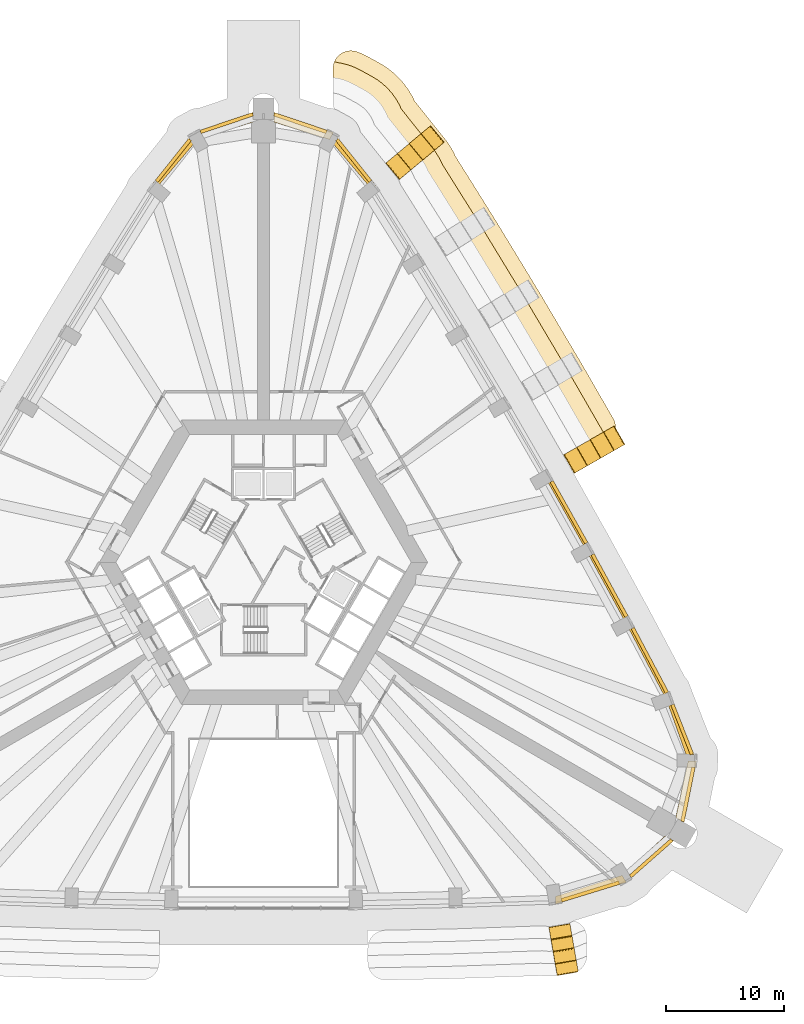
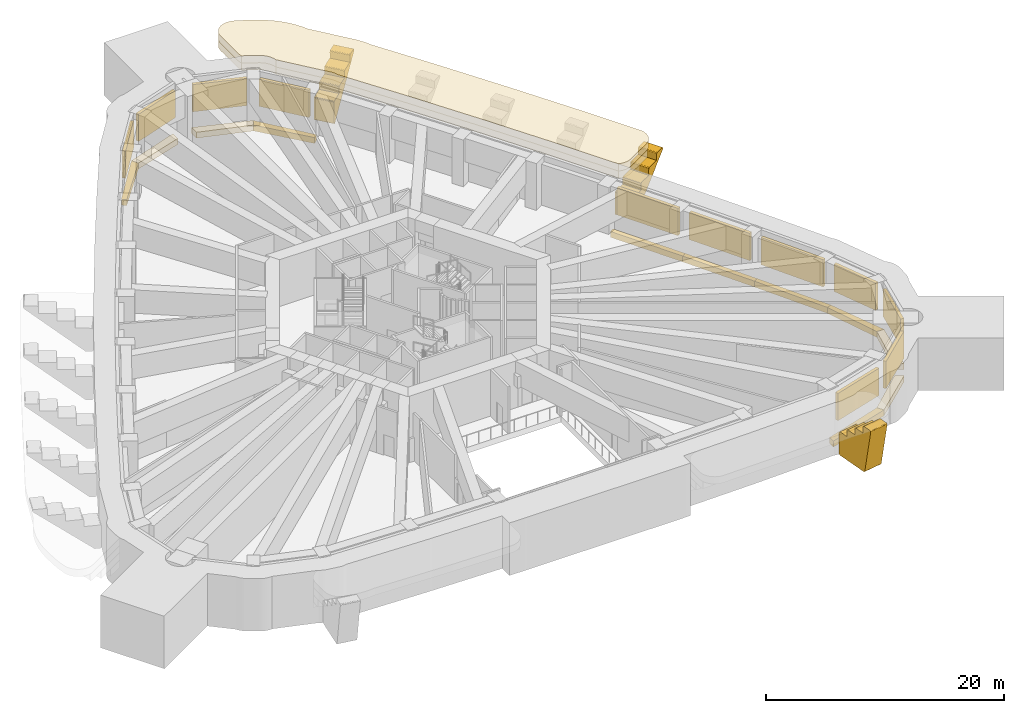
# One storey, part 19 of 20: 16 coverings, 11 shading devices.
"""IFC4 building model written with IfcOpenShell, lengths in metres."""

import ifcopenshell
import ifcopenshell.guid

model = None  # the IFC model being written
_history = None  # IfcOwnerHistory: only IFC2X3 demands one
_inside = {}  # id of a spatial element -> (the spatial element, [elements in it])
_under = {}  # id of a project, library or spatial element -> (it, [spatial elements below it])
_declared = {}  # id of a project -> (the project, [libraries it declares])
_typed = {}  # id of a type object -> (the type object, [elements of that type])
_made_of = {}  # id of a material, layer set ... -> (it, [elements and type objects made of it])


def new_model(schema):
    """Start an empty IFC model of exactly this schema.

    Asked for "IFC4X3", IfcOpenShell would pick the latest addendum, in which some entities
    have other attributes; the version numbers below select the first issue.
    IFC2X3 requires an IfcOwnerHistory on every rooted entity: one is made here for all.
    """
    global model, _history
    if schema == "IFC4X3":
        model = ifcopenshell.file(schema_version=(4, 3, 0, 0))
    else:
        model = ifcopenshell.file(schema=schema)
    _inside.clear()
    _under.clear()
    _declared.clear()
    _typed.clear()
    _made_of.clear()
    _history = None
    if model.schema == "IFC2X3":
        org = make("IfcOrganization", Name="unknown")
        user = make(
            "IfcPersonAndOrganization",
            ThePerson=make("IfcPerson", FamilyName="unknown"),
            TheOrganization=org,
        )
        app = make(
            "IfcApplication",
            ApplicationDeveloper=org,
            Version="unknown",
            ApplicationFullName="unknown",
            ApplicationIdentifier="unknown",
        )
        _history = make(
            "IfcOwnerHistory",
            OwningUser=user,
            OwningApplication=app,
            ChangeAction="ADDED",
            CreationDate=0,
        )
    return model


def make(cls, **values):
    """One entity of the class cls with the attributes given. An attribute that is None is left unset."""
    return model.create_entity(
        cls, **{name: value for name, value in values.items() if value is not None}
    )


def rooted(cls, **values):
    """An entity with a GlobalId (a new one), such as an element, a storey or a relation."""
    return make(cls, GlobalId=ifcopenshell.guid.new(), OwnerHistory=_history, **values)


def si_unit(unit_type, name, prefix=None):
    """IfcSIUnit, for example si_unit("LENGTHUNIT", "METRE", prefix="MILLI")."""
    return make("IfcSIUnit", UnitType=unit_type, Prefix=prefix, Name=name)


def assignment(units):
    """IfcUnitAssignment: the units of a project."""
    return None if units is None else make("IfcUnitAssignment", Units=units)


def point(xyz):
    """IfcCartesianPoint."""
    return None if xyz is None else make("IfcCartesianPoint", Coordinates=xyz)


def direction(xyz):
    """IfcDirection."""
    return None if xyz is None else make("IfcDirection", DirectionRatios=xyz)


def frame(location, z_axis=None, x_axis=None):
    """IfcAxis2Placement3D, a coordinate frame: its origin and axes. An axis left out is left unset."""
    return make(
        "IfcAxis2Placement3D",
        Location=point(location),
        Axis=direction(z_axis),
        RefDirection=direction(x_axis),
    )


def frame_2d(location, x_axis=None):
    """IfcAxis2Placement2D, a coordinate frame in the plane: its origin and x axis."""
    return make(
        "IfcAxis2Placement2D", Location=point(location), RefDirection=direction(x_axis)
    )


def origin():
    """The frame at (0, 0, 0) with its axes left unset."""
    return frame((0.0, 0.0, 0.0))


def origin_2d():
    """The frame at (0, 0) in the plane with its x axis left unset."""
    return frame_2d((0.0, 0.0))


def place(relative_to, where):
    """IfcLocalPlacement: puts the frame where relative to a parent placement (None: the world)."""
    return make(
        "IfcLocalPlacement", PlacementRelTo=relative_to, RelativePlacement=where
    )


def context(
    kind, dimensions, precision=None, world=None, true_north=None, identifier=None
):
    """IfcGeometricRepresentationContext, for example the 3D "Model" context."""
    return make(
        "IfcGeometricRepresentationContext",
        ContextIdentifier=identifier,
        ContextType=kind,
        CoordinateSpaceDimension=dimensions,
        Precision=precision,
        WorldCoordinateSystem=world,
        TrueNorth=true_north,
    )


def subcontext(parent, identifier, kind, view, scale=None):
    """IfcGeometricRepresentationSubContext, for example "Body" below "Model"."""
    return make(
        "IfcGeometricRepresentationSubContext",
        ContextIdentifier=identifier,
        ContextType=kind,
        ParentContext=parent,
        TargetScale=scale,
        TargetView=view,
    )


def project(units=None, contexts=None):
    """IfcProject with its units and contexts."""
    return rooted(
        "IfcProject",
        Name="project",
        RepresentationContexts=contexts,
        UnitsInContext=assignment(units),
    )


def spatial(cls, under=None, at=None, **own):
    """A site, building, storey or space (cls), placed at a placement, below another one or the project."""
    s = rooted(cls, ObjectPlacement=at, **own)
    if under is not None:
        _under.setdefault(under.id(), (under, []))[1].append(s)
    return s


def polyline(points):
    """IfcPolyline through the points."""
    return make("IfcPolyline", Points=[point(p) for p in points])


def profile(cls, at=None, kind="AREA", **sizes):
    """A parametric profile (cls). Its sizes go by their IFC names, for example OverallWidth=200.0."""
    return make(cls, ProfileType=kind, Position=at, **sizes)


def rectangle(**sizes):
    """IfcRectangleProfileDef."""
    return profile("IfcRectangleProfileDef", **sizes)


def outline(outer, holes=None, kind="AREA"):
    """IfcArbitraryClosedProfileDef: a profile drawn as a closed curve; with holes, ...WithVoids."""
    if holes is None:
        return make("IfcArbitraryClosedProfileDef", ProfileType=kind, OuterCurve=outer)
    return make(
        "IfcArbitraryProfileDefWithVoids",
        ProfileType=kind,
        OuterCurve=outer,
        InnerCurves=holes,
    )


def extrude(swept, where, along, depth):
    """IfcExtrudedAreaSolid: the profile swept, set in the frame where, extruded along a direction by depth."""
    return make(
        "IfcExtrudedAreaSolid",
        SweptArea=swept,
        Position=where,
        ExtrudedDirection=direction(along),
        Depth=depth,
    )


def shape(context_of_items, identifier, shape_type, items):
    """IfcShapeRepresentation: the items that make up one representation, for example the "Body"."""
    return make(
        "IfcShapeRepresentation",
        ContextOfItems=context_of_items,
        RepresentationIdentifier=identifier,
        RepresentationType=shape_type,
        Items=items,
    )


def material(Name=None, Category=None):
    """IfcMaterial."""
    return make("IfcMaterial", Name=Name, Category=Category)


def layer(
    of_material, thickness, ventilated=None, Name=None, Category=None, Priority=None
):
    """IfcMaterialLayer: one layer of a wall or slab, of a material (None: an air gap)."""
    return make(
        "IfcMaterialLayer",
        Material=of_material,
        LayerThickness=thickness,
        IsVentilated=ventilated,
        Name=Name,
        Category=Category,
        Priority=Priority,
    )


def layer_set(layers, Name=None):
    """IfcMaterialLayerSet."""
    return make("IfcMaterialLayerSet", MaterialLayers=layers, LayerSetName=Name)


def made_of(thing, what):
    """Note that an element or type object is made of a material, layer set ...; save() writes the relation."""
    if what is not None:
        _made_of.setdefault(what.id(), (what, []))[1].append(thing)
    return thing


def type_object(cls, material=None, **own):
    """A type object (cls), such as IfcWallType, which elements share."""
    return made_of(rooted(cls, **own), material)


def element(
    cls,
    number,
    at=None,
    inside=None,
    cuts=None,
    type_object=None,
    material=None,
    context=None,
    identifier="Body",
    shape_type=None,
    held_by="IfcProductDefinitionShape",
    body=None,
    shapes=None,
    **own,
):
    """One element of the class cls, such as IfcWall. Its Tag is "e" and its number.

    at: its placement. inside: the storey or other place that contains it. cuts: it is an
    opening in that element (IfcRelVoidsElement). A single representation is given by context,
    identifier, shape_type and body (its items); several are given by shapes. held_by: the class
    of the entity that holds the representations. save() writes the other relations.
    """
    e = rooted(cls, Tag="e%d" % number, ObjectPlacement=at, **own)
    if body is not None:
        shapes = [shape(context, identifier, shape_type, body)]
    if shapes is not None:
        e.Representation = make(held_by, Representations=shapes)
    if inside is not None:
        _inside.setdefault(inside.id(), (inside, []))[1].append(e)
    if cuts is not None:
        rooted(
            "IfcRelVoidsElement", RelatingBuildingElement=cuts, RelatedOpeningElement=e
        )
    if type_object is not None:
        _typed.setdefault(type_object.id(), (type_object, []))[1].append(e)
    return made_of(e, material)


def aggregate(whole, parts):
    """IfcRelAggregates: a whole, such as a stair, and the parts it consists of."""
    return rooted("IfcRelAggregates", RelatingObject=whole, RelatedObjects=parts)


def save(model, path):
    """Write the relations noted so far, then the file.

    IfcRelAggregates (storeys below a building ...), IfcRelContainedInSpatialStructure (elements
    in a storey), IfcRelDefinesByType, IfcRelAssociatesMaterial and IfcRelDeclares: one each for
    every whole, place, type object, material and project.
    """
    for whole, parts in _under.values():
        aggregate(whole, parts)
    for where, things in _inside.values():
        rooted(
            "IfcRelContainedInSpatialStructure",
            RelatedElements=things,
            RelatingStructure=where,
        )
    for kind, things in _typed.values():
        rooted("IfcRelDefinesByType", RelatedObjects=things, RelatingType=kind)
    for what, things in _made_of.values():
        rooted("IfcRelAssociatesMaterial", RelatedObjects=things, RelatingMaterial=what)
    for by, libraries in _declared.values():
        rooted("IfcRelDeclares", RelatingContext=by, RelatedDefinitions=libraries)
    model.write(path)


model = new_model("IFC4")

# Units and contexts
model_context = context("Model", 3, precision=1e-05, world=origin(), true_north=direction((0.0, 1.0)))
body_context = subcontext(model_context, "Body", "Model", "MODEL_VIEW")
ifc_project = project(units=[si_unit("LENGTHUNIT", "METRE"), si_unit("AREAUNIT", "SQUARE_METRE"), si_unit("VOLUMEUNIT", "CUBIC_METRE"), si_unit("PLANEANGLEUNIT", "RADIAN"), si_unit("MASSUNIT", "GRAM", prefix="KILO")], contexts=[model_context])

# Site, building, storey
site_placement = place(None, origin())
site = spatial("IfcSite", under=ifc_project, at=site_placement, CompositionType="ELEMENT")
building_placement = place(site_placement, origin())
building = spatial("IfcBuilding", under=site, at=building_placement, Name="Entoto Arch Interchange Tower", CompositionType="ELEMENT")
storey_placement = place(building_placement, frame((0.0, 0.0, 184.39990234375)))
storey = spatial("IfcBuildingStorey", under=building, at=storey_placement, Name="L41", CompositionType="ELEMENT", Elevation=184.39990234375)

# Shading devices
ifc_material_1 = material(Name="Aluminium, anodised", Category="aluminium")
ifc_layer = layer(ifc_material_1, 0.300048828125)
ifc_layer_set = layer_set([ifc_layer], Name="Aluminium, anodised")
shading_device_type = type_object("IfcShadingDeviceType", Name="PLANT LOUVRE ALUMINIUM", PredefinedType="JALOUSIE", material=ifc_layer_set)
shading_device_1_placement = place(storey_placement, frame((27.595947265625, -25.300048828125, 1.2001953125), z_axis=(0.0, 0.0, 1.0), x_axis=(0.955895596002, 0.293706672624, 0.0)))
element("IfcShadingDevice", 1, at=shading_device_1_placement, inside=storey, type_object=shading_device_type, Name="Plant louvre SE-01 L41", PredefinedType="JALOUSIE", context=body_context, shape_type="SweptSolid", body=[
    extrude(rectangle(XDim=5.070068359375, YDim=0.300048828125, at=origin_2d()), origin(), (0.0, 0.0, 1.0), 2.800048828125),
])
shading_device_2_placement = place(storey_placement, frame((32.72802734375, -22.48291015625, 1.2001953125), z_axis=(0.0, 0.0, 1.0), x_axis=(0.750238018569, 0.66116784215, 0.0)))
element("IfcShadingDevice", 2, at=shading_device_2_placement, inside=storey, type_object=shading_device_type, Name="Plant louvre SE-02 L41", PredefinedType="JALOUSIE", context=body_context, shape_type="SweptSolid", body=[
    extrude(rectangle(XDim=4.659912109375, YDim=0.300048828125, at=origin_2d()), origin(), (0.0, 0.0, 1.0), 2.800048828125),
])
shading_device_3_placement = place(storey_placement, frame((35.8349609375, -17.10205078125, 1.2001953125), z_axis=(0.0, 0.0, 1.0), x_axis=(0.197486247774, 0.980305657405, 0.0)))
element("IfcShadingDevice", 3, at=shading_device_3_placement, inside=storey, type_object=shading_device_type, Name="Plant louvre SE-03 L41", PredefinedType="JALOUSIE", context=body_context, shape_type="SweptSolid", body=[
    extrude(rectangle(XDim=4.658935546875, YDim=0.300048828125, at=origin_2d()), origin(), (0.0, 0.0, 1.0), 2.800048828125),
])
shading_device_4_placement = place(storey_placement, frame((35.35400390625, -11.616943359375, 1.2001953125), z_axis=(0.0, 0.0, 1.0), x_axis=(-0.36481178349, 0.931081286799, 0.0)))
element("IfcShadingDevice", 4, at=shading_device_4_placement, inside=storey, type_object=shading_device_type, Name="Plant louvre SE-04 L41", PredefinedType="JALOUSIE", context=body_context, shape_type="SweptSolid", body=[
    extrude(rectangle(XDim=4.511962890625, YDim=0.300048828125, at=origin_2d()), origin(), (0.0, 0.0, 1.0), 2.800048828125),
])
shading_device_5_placement = place(storey_placement, frame((32.6201171875, -5.784912109375, 1.2001953125), z_axis=(0.0, 0.0, 1.0), x_axis=(-0.468685449433, 0.88336512807, 0.0)))
element("IfcShadingDevice", 5, at=shading_device_5_placement, inside=storey, type_object=shading_device_type, Name="Plant louvre NE-01 L41", PredefinedType="JALOUSIE", context=body_context, shape_type="SweptSolid", body=[
    extrude(rectangle(XDim=6.18310546875, YDim=0.300048828125, at=origin_2d()), origin(), (0.0, 0.0, 1.0), 2.800048828125),
])
shading_device_6_placement = place(storey_placement, frame((29.218017578125, 0.534912109375, 1.2001953125), z_axis=(0.0, 0.0, 1.0), x_axis=(-0.479182141455, 0.877715486539, 0.0)))
element("IfcShadingDevice", 6, at=shading_device_6_placement, inside=storey, type_object=shading_device_type, Name="Plant louvre NE-02 L41", PredefinedType="JALOUSIE", context=body_context, shape_type="SweptSolid", body=[
    extrude(rectangle(XDim=5.97705078125, YDim=0.300048828125, at=origin_2d()), origin(), (0.0, 0.0, 1.0), 2.800048828125),
])
shading_device_7_placement = place(storey_placement, frame((25.791015625, 6.722900390625, 1.2001953125), z_axis=(0.0, 0.0, 1.0), x_axis=(-0.489671613958, 0.871906939119, 0.0)))
element("IfcShadingDevice", 7, at=shading_device_7_placement, inside=storey, type_object=shading_device_type, Name="Plant louvre NE-03 L41", PredefinedType="JALOUSIE", context=body_context, shape_type="SweptSolid", body=[
    extrude(rectangle(XDim=5.97509765625, YDim=0.300048828125, at=origin_2d()), origin(), (0.0, 0.0, 1.0), 2.800048828125),
])
shading_device_8_placement = place(storey_placement, frame((7.616943359375, 36.425048828125, 1.2001953125), z_axis=(0.0, 0.0, 1.0), x_axis=(-0.623634044029, 0.781716431405, 0.0)))
element("IfcShadingDevice", 8, at=shading_device_8_placement, inside=storey, type_object=shading_device_type, Name="Plant louvre N-01 L41", PredefinedType="JALOUSIE", context=body_context, shape_type="SweptSolid", body=[
    extrude(rectangle(XDim=4.510986328125, YDim=0.300048828125, at=origin_2d()), origin(), (0.0, 0.0, 1.0), 2.800048828125),
])
for number, where, z_axis, x_axis, name in (
    (9, (3.10693359375, 39.583984375, 1.2001953125), (0.0, 0.0, 1.0), (-0.947645868563, 0.319323202721, 0.0), "Plant louvre N-02 L41"),
    (10, (-3.10693359375, 39.583984375, 1.2001953125), (0.0, 0.0, 1.0), (-0.947645868563, -0.319323202721, 0.0), "Plant louvre N-03 L41"),
):
    element("IfcShadingDevice", number, at=place(storey_placement, frame(where, z_axis=z_axis, x_axis=x_axis)), inside=storey, type_object=shading_device_type, Name=name, PredefinedType="JALOUSIE", context=body_context, shape_type="SweptSolid", body=[
        extrude(rectangle(XDim=4.659912109375, YDim=0.300048828125, at=origin_2d()), origin(), (0.0, 0.0, 1.0), 2.800048828125),
    ])
shading_device_9_placement = place(storey_placement, frame((-7.616943359375, 36.425048828125, 1.2001953125), z_axis=(0.0, 0.0, 1.0), x_axis=(-0.623634044029, -0.781716431405, 0.0)))
element("IfcShadingDevice", 11, at=shading_device_9_placement, inside=storey, type_object=shading_device_type, Name="Plant louvre N-04 L41", PredefinedType="JALOUSIE", context=body_context, shape_type="SweptSolid", body=[
    extrude(rectangle(XDim=4.510986328125, YDim=0.300048828125, at=origin_2d()), origin(), (0.0, 0.0, 1.0), 2.800048828125),
])

# Coverings
ifc_material_2 = material(Name="Board-marked precast concrete C50/60", Category="concrete")
covering_type_1 = type_object("IfcCoveringType", Name="PRECAST FRAME COURSE", PredefinedType="CLADDING", material=ifc_material_2)
covering_1_placement = place(storey_placement, frame((24.26806640625, -29.31591796875, 1.800048828125), z_axis=(-0.985762800974, -0.168114933181, 0.00301155415), x_axis=(0.003321598554, -0.001563064216, 0.999993261884)))
element("IfcCovering", 12, at=covering_1_placement, inside=storey, type_object=covering_type_1, Name="Fold rib S06 L41", PredefinedType="CLADDING", context=body_context, shape_type="SweptSolid", body=[
    extrude(outline(polyline([(0.0, 0.0), (0.6149941044265056, 0.0), (0.657008142381907, -0.01010747543813199), (0.6831628777160753, -0.024503747380922973), (0.7061522493975048, -0.04376103548676018), (0.725242409500836, -0.06603763725399082), (0.7392102303148677, -0.09121298843089166), (0.7473277311929523, -0.11973450339498976), (0.7503190289847935, -0.14918840097460354), (0.7522073790339541, -1.048931563834165), (1.3672014834604598, -1.0489315638341647), (1.409215521415861, -1.059039039272297), (1.4353666313939673, -1.0730304766119225), (1.4683878346570682, -1.1024623783236382), (1.491418038678494, -1.139944928957241), (1.4995347286194318, -1.168425401662269), (1.50252683734842, -1.1979203415009527), (1.5044143764604336, -2.097622462101444), (2.1194069544570406, -2.0966597998339016), (2.1614225188423406, -2.1077299375395757), (2.187572913327695, -2.120799754870729), (2.210561474071978, -2.1400160007174964), (2.229651634175309, -2.162292602484727), (2.248779048984772, -2.2019493433018567), (2.2547290645964133, -2.24548440846441), (2.2562468712361308, -2.9679859543455116), (2.2533777364088947, -2.996289866472103), (2.239545387098882, -3.037735908717103), (2.2234833978860493, -3.0620526780124995), (2.191562821544735, -3.091579863821027), (2.1666933210060537, -3.106124291588224), (2.1386327934993328, -3.114048696851032), (2.109589985960684, -3.118365168630945), (2.0805311507379955, -3.1163366631661593), (-2.270917093284434, -2.371249048714046), (-2.2990085311667046, -2.363442519623617), (-2.3261350522421953, -2.3501751290050374), (-2.3501030310473996, -2.3310374297092653), (-2.3691911399467647, -2.308643289152359), (-2.3883188886415048, -2.2683055938936425), (-2.3952506119589154, -2.2234050818807707), (-2.4017325463265635, 0.8644690488311826), (-2.3988645085995537, 0.8939352465331316), (-2.3908669287634243, 0.9212872589992237), (-2.3770048139002853, 0.9477243635916448), (-2.35801010406823, 0.9701219584131243), (-2.335100536581511, 0.9894345552181842), (-2.3090043784199614, 1.00257300638109), (-2.2811931416791538, 1.011864396009508), (-2.2521451823545444, 1.0148133709187135), (-0.15204374074463856, 1.0191995878155624), (-0.12298337909205154, 1.0162084200832349), (-0.09513569858225845, 1.0081607129208237), (-0.06898053391841788, 0.9939640642858483), (-0.03596014159246378, 0.9645732048332025), (-0.012932799712150896, 0.927014157668994), (-0.002834758808368498, 0.8844915096197074), (0.0, 0.0)])), origin(), (0.0, 0.0, -1.0), 1.800048828125),
])
covering_2_placement = place(storey_placement, frame((0.0, 0.0, 4.050048828125)))
element("IfcCovering", 13, at=covering_2_placement, inside=storey, type_object=covering_type_1, Name="Cantilever cornice ne-L41 1", PredefinedType="CLADDING", context=body_context, shape_type="SweptSolid", body=[
    extrude(outline(polyline([(5.93408203125, 40.881103515625), (5.89990234375, 41.02099609375), (5.87890625, 41.1630859375), (5.8720703125, 41.306884765625), (5.8720703125, 44.197021484375), (5.87890625, 44.341064453125), (5.89990234375, 44.48388671875), (5.93408203125, 44.6240234375), (5.98193359375, 44.760009765625), (6.0419921875, 44.89111328125), (6.114990234375, 45.01611328125), (6.198974609375, 45.133056640625), (6.294921875, 45.240966796875), (6.39990234375, 45.339111328125), (6.513916015625, 45.427978515625), (6.635986328125, 45.50390625), (6.764892578125, 45.569091796875), (6.89892578125, 45.62109375), (7.0380859375, 45.659912109375), (7.179931640625, 45.68505859375), (7.323974609375, 45.697021484375), (7.468017578125, 45.694091796875), (7.611083984375, 45.677978515625), (7.751953125, 45.64892578125), (7.889892578125, 45.60498046875), (8.0791015625, 45.535888671875), (8.097900390625, 45.529052734375), (8.23388671875, 45.470947265625), (8.7529296875, 45.219970703125), (8.818115234375, 45.18701171875), (9.718994140625, 44.695068359375), (9.782958984375, 44.657958984375), (10.27490234375, 44.35791015625), (10.39697265625, 44.27490234375), (10.826904296875, 43.949951171875), (10.93994140625, 43.85498046875), (11.2109375, 43.60498046875), (11.3369140625, 43.489013671875), (11.43994140625, 43.385009765625), (11.797119140625, 42.98388671875), (11.799072265625, 42.98193359375), (11.89111328125, 42.866943359375), (12.068115234375, 42.6240234375), (12.208984375, 42.430908203125), (12.2900390625, 42.30810546875), (12.56298828125, 41.843017578125), (12.631103515625, 41.7119140625), (12.680908203125, 41.60498046875), (12.73193359375, 41.4951171875), (12.7509765625, 41.4541015625), (12.779052734375, 41.41796875), (13.969970703125, 39.926025390625), (14.905029296875, 38.7548828125), (14.908935546875, 38.7490234375), (14.9140625, 38.743896484375), (15.193115234375, 38.407958984375), (15.239013671875, 38.35009765625), (15.5849609375, 37.888916015625), (15.6669921875, 37.76708984375), (15.947998046875, 37.305908203125), (16.01806640625, 37.177001953125), (16.0791015625, 37.049072265625), (16.198974609375, 36.799072265625), (16.217041015625, 36.760986328125), (16.239990234375, 36.72509765625), (16.674072265625, 36.031982421875), (18.987060546875, 32.339111328125), (18.99609375, 32.323974609375), (19.001953125, 32.31494140625), (19.014892578125, 32.294921875), (19.5859375, 31.381103515625), (19.591064453125, 31.3740234375), (19.62890625, 31.31103515625), (19.633056640625, 31.303955078125), (22.717041015625, 26.23388671875), (22.72607421875, 26.218994140625), (22.736083984375, 26.2041015625), (22.743896484375, 26.19091796875), (22.763916015625, 26.158935546875), (22.99609375, 25.77490234375), (23.31298828125, 25.2509765625), (23.31689453125, 25.2451171875), (23.347900390625, 25.193115234375), (23.35205078125, 25.18701171875), (25.43310546875, 21.673095703125), (26.37109375, 20.089111328125), (26.37890625, 20.074951171875), (26.387939453125, 20.06103515625), (26.39111328125, 20.055908203125), (26.429931640625, 19.992919921875), (26.967041015625, 19.0791015625), (26.969970703125, 19.073974609375), (26.992919921875, 19.032958984375), (26.99609375, 19.028076171875), (27.72607421875, 17.761962890625), (29.52197265625, 14.64697265625), (29.590087890625, 14.514892578125), (29.64404296875, 14.3779296875), (29.68408203125, 14.236083984375), (29.7099609375, 14.090087890625), (29.721923828125, 13.943115234375), (29.718994140625, 13.794921875), (29.701904296875, 13.64794921875), (29.669921875, 13.50390625), (29.6240234375, 13.363037109375), (29.56494140625, 13.22802734375), (29.491943359375, 13.09912109375), (29.407958984375, 12.97802734375), (29.31103515625, 12.865966796875), (29.205078125, 12.763916015625), (29.087890625, 12.673095703125), (28.964111328125, 12.593017578125), (27.30810546875, 11.653076171875), (26.763916015625, 11.343994140625), (26.639892578125, 11.281005859375), (26.510986328125, 11.22900390625), (26.376953125, 11.18994140625), (26.239990234375, 11.1640625), (26.10205078125, 11.14990234375), (25.9619140625, 11.14892578125), (25.823974609375, 11.160888671875), (25.68701171875, 11.18603515625), (25.552978515625, 11.22412109375), (25.487060546875, 11.2451171875), (25.5009765625, 11.216064453125), (25.48291015625, 11.248046875), (25.43603515625, 11.322021484375), (22.489990234375, 16.43408203125), (22.48291015625, 16.445068359375), (21.926025390625, 17.39404296875), (21.89306640625, 17.445068359375), (18.8759765625, 22.541015625), (18.866943359375, 22.555908203125), (18.297119140625, 23.4970703125), (18.277099609375, 23.52587890625), (15.18798828125, 28.60595703125), (15.177001953125, 28.6240234375), (14.594970703125, 29.556884765625), (14.5849609375, 29.571044921875), (11.56298828125, 34.39599609375), (11.552001953125, 34.43896484375), (11.490966796875, 34.60498046875), (11.4150390625, 34.763916015625), (11.322998046875, 34.9150390625), (11.217041015625, 35.055908203125), (10.876953125, 35.466064453125), (8.16796875, 38.85888671875), (8.1669921875, 38.868896484375), (8.1259765625, 39.0400390625), (8.068115234375, 39.20703125), (7.993896484375, 39.366943359375), (7.904052734375, 39.52001953125), (7.800048828125, 39.662109375), (7.68310546875, 39.7939453125), (7.552978515625, 39.9140625), (7.412109375, 40.02099609375), (7.260986328125, 40.113037109375), (6.294921875, 40.639892578125), (6.135986328125, 40.716064453125), (5.970947265625, 40.777099609375), (5.93505859375, 40.787109375), (5.968017578125, 40.780029296875), (5.9599609375, 40.80810546875), (5.93408203125, 40.881103515625)])), origin(), (0.0, 0.0, 1.0), 0.75),
])
covering_3_placement = place(storey_placement, frame((0.0, 0.0, 3.300048828125)))
element("IfcCovering", 14, at=covering_3_placement, inside=storey, type_object=covering_type_1, Name="Cantilever cornice ne-L41 2", PredefinedType="CLADDING", context=body_context, shape_type="SweptSolid", body=[
    extrude(outline(polyline([(5.93408203125, 40.881103515625), (5.89990234375, 41.02099609375), (5.87890625, 41.1630859375), (5.8720703125, 41.306884765625), (5.8720703125, 44.197021484375), (5.87890625, 44.341064453125), (5.89990234375, 44.48388671875), (5.93408203125, 44.6240234375), (5.98193359375, 44.760009765625), (5.992919921875, 44.784912109375), (6.27294921875, 44.68994140625), (6.593017578125, 44.639892578125), (7.135009765625, 44.5), (7.659912109375, 44.306884765625), (8.1630859375, 44.06298828125), (9.12890625, 43.535888671875), (9.60595703125, 43.2451171875), (10.052978515625, 42.906982421875), (10.464111328125, 42.528076171875), (10.8359375, 42.111083984375), (11.1650390625, 41.657958984375), (11.448974609375, 41.176025390625), (11.64111328125, 40.760009765625), (13.90087890625, 37.927978515625), (14.217041015625, 37.549072265625), (14.552978515625, 37.10107421875), (14.843017578125, 36.623046875), (15.0849609375, 36.12109375), (17.89306640625, 31.635986328125), (17.903076171875, 31.6220703125), (18.485107421875, 30.68896484375), (18.52001953125, 30.632080078125), (21.614013671875, 25.5458984375), (21.634033203125, 25.51611328125), (22.202880859375, 24.574951171875), (22.23095703125, 24.528076171875), (25.258056640625, 19.4169921875), (25.2900390625, 19.366943359375), (25.846923828125, 18.4189453125), (25.867919921875, 18.381103515625), (28.827880859375, 13.248046875), (28.8740234375, 13.175048828125), (29.137939453125, 12.7109375), (29.087890625, 12.673095703125), (28.964111328125, 12.593017578125), (27.30810546875, 11.653076171875), (26.763916015625, 11.343994140625), (26.639892578125, 11.281005859375), (26.510986328125, 11.22900390625), (26.376953125, 11.18994140625), (26.239990234375, 11.1640625), (26.10205078125, 11.14990234375), (25.9619140625, 11.14892578125), (25.823974609375, 11.160888671875), (25.68701171875, 11.18603515625), (25.552978515625, 11.22412109375), (25.487060546875, 11.2451171875), (25.5009765625, 11.216064453125), (25.48291015625, 11.248046875), (25.43603515625, 11.322021484375), (22.489990234375, 16.43408203125), (22.48291015625, 16.445068359375), (21.926025390625, 17.39404296875), (21.89306640625, 17.445068359375), (18.8759765625, 22.541015625), (18.866943359375, 22.555908203125), (18.297119140625, 23.4970703125), (18.277099609375, 23.52587890625), (15.18798828125, 28.60595703125), (15.177001953125, 28.6240234375), (14.594970703125, 29.556884765625), (14.5849609375, 29.571044921875), (11.56298828125, 34.39599609375), (11.552001953125, 34.43896484375), (11.490966796875, 34.60498046875), (11.4150390625, 34.763916015625), (11.322998046875, 34.9150390625), (11.217041015625, 35.055908203125), (10.876953125, 35.466064453125), (8.16796875, 38.85888671875), (8.1669921875, 38.868896484375), (8.1259765625, 39.0400390625), (8.068115234375, 39.20703125), (7.993896484375, 39.366943359375), (7.904052734375, 39.52001953125), (7.800048828125, 39.662109375), (7.68310546875, 39.7939453125), (7.552978515625, 39.9140625), (7.412109375, 40.02099609375), (7.260986328125, 40.113037109375), (6.294921875, 40.639892578125), (6.135986328125, 40.716064453125), (5.970947265625, 40.777099609375), (5.93505859375, 40.787109375), (5.968017578125, 40.780029296875), (5.9599609375, 40.80810546875), (5.93408203125, 40.881103515625)])), origin(), (0.0, 0.0, 1.0), 0.75),
])
covering_4_placement = place(storey_placement, frame((26.445068359375, 10.126953125, -0.558837890625), z_axis=(0.493802666554, -0.86956819689, 0.003174501774), x_axis=(-0.707221631434, -0.403729510332, -0.580379226472)))
element("IfcCovering", 15, at=covering_4_placement, inside=storey, type_object=covering_type_1, Name="Fold rib NE04 L41", PredefinedType="CLADDING", context=body_context, shape_type="SweptSolid", body=[
    extrude(outline(polyline([(0.0, 0.0), (0.04332361907507936, 0.0), (0.08486405812383292, -0.013714867908984248), (0.10989273701131527, -0.027955127779212302), (0.1399381255349674, -0.05926206026950552), (0.16071583748243856, -0.09715558753048746), (0.17011715043075856, -0.13953219650195864), (0.16574330625491887, -0.18318251504606967), (0.14983029188160596, -0.2234067248160781), (-1.0762339839971578, -1.9455750285472284), (-1.0961287216049216, -1.9670726367630296), (-1.1186934456437891, -1.9851679263832558), (-1.1451735708811717, -1.9983750124696829), (-1.1735354524351793, -2.0063422206109336), (-1.2035756134333702, -2.008318952560277), (-1.2331064028159917, -2.004360609918928), (-1.2600257455679371, -1.995067219644232), (-1.286213432435928, -1.9800010691520382), (-2.1975233792533952, -1.3305132684448875), (-2.5552394699673577, -1.830769140021419), (-2.5884635092921715, -1.8586590952530049), (-2.6144508006546374, -1.8722132855060831), (-2.6438975954330255, -1.8794087078164325), (-2.672852843206836, -1.8821572255966772), (-2.7166780611772916, -1.8743080069580265), (-2.755490662209394, -1.8538393421884383), (-3.691386532904782, -1.1868302080045452), (-4.049102623618745, -1.6870860795810765), (-4.082326662943559, -1.7149760348126626), (-4.108708221405958, -1.7282525417324202), (-4.137588087553301, -1.7358491730004855), (-4.166543335327111, -1.7385976907807303), (-4.2105412148286785, -1.7306249465176842), (-4.249181154329669, -1.7102798073724912), (-5.185767671149504, -1.0427765706910184), (-5.543187382838953, -1.5432488614318087), (-5.576609234413297, -1.5709918183324656), (-5.60308935965068, -1.5841989044188929), (-5.631451241204688, -1.5921661125601436), (-5.661097135102945, -1.5944205278428076), (-5.7042317069489545, -1.587065411701737), (-5.74343857508099, -1.566319063598828), (-6.370690285100608, -1.119276512763708), (-6.39330465090738, -1.0995623635934733), (-6.41146441134369, -1.075526136814707), (-6.424249988608842, -1.0493277354010369), (-6.431791595561408, -1.0205672427178674), (-6.43403296205625, -0.9907869336168518), (-6.428834550329068, -0.9612161972870625), (-6.419346412527027, -0.9323008895158345), (-6.404402062519496, -0.9075750067003763), (-6.38401464307951, -0.8852280396431045), (-6.359360004013616, -0.8683233504631533), (-6.332879878776233, -0.855116264376726), (-6.304172522117308, -0.8485925704923871), (0.0, 0.0)])), origin(), (0.0, 0.0, -1.0), 1.800048828125),
])
covering_5_placement = place(storey_placement, frame((11.657958984375, 34.968017578125, -0.5087890625), z_axis=(0.639085302917, -0.769130356793, 0.002910301547), x_axis=(-0.63097435932, -0.526445050659, -0.569848196029)))
element("IfcCovering", 16, at=covering_5_placement, inside=storey, type_object=covering_type_1, Name="Fold rib NE08 L41", PredefinedType="CLADDING", context=body_context, shape_type="SweptSolid", body=[
    extrude(outline(polyline([(0.0, 0.0), (0.044126525945976505, 3.469446951953614e-18), (0.08517636097697912, -0.012716095577005156), (0.12143728838454323, -0.036677461313036924), (0.14962329250386402, -0.06959133314037308), (0.16634256878730985, -0.109113728469899), (0.17133144115861726, -0.13812373295668362), (0.16829400152080798, -0.18117702182929524), (0.15302158849599012, -0.22168540875169787), (-1.0232053234144367, -1.9177055420096834), (-1.041507449978073, -1.9403666006566997), (-1.0644318102311938, -1.9583414021565886), (-1.0908770311707023, -1.971791202411481), (-1.1191615823037373, -1.9801059068082807), (-1.1487386403524429, -1.9827660046492408), (-1.1782973313153364, -1.9792040108537337), (-1.2055188337734837, -1.9701322049548586), (-1.2316937561562507, -1.9555460130470972), (-2.1514701523235447, -1.3177156247587756), (-2.502333255049425, -1.8228024753661853), (-2.535689418985202, -1.850770925064774), (-2.5616469806506332, -1.8645617735031088), (-2.5898030051599723, -1.872964941103356), (-2.619894169703462, -1.8752711861305253), (-2.6629317296899075, -1.8686004621234926), (-2.7023351790124854, -1.8484050473421725), (-3.6471311269205273, -1.1932271587792316), (-3.9986104155441806, -1.6978844979997514), (-4.031196347107741, -1.726389836931952), (-4.057127461552465, -1.7401934900006348), (-4.085566059159944, -1.748400816550712), (-4.1148869913312165, -1.751243950811494), (-4.15841221059174, -1.744232178621019), (-4.197482047114684, -1.7242704341764186), (-5.142894180920498, -1.0686630342265877), (-5.493603237171936, -1.5738572626807197), (-5.526959401107712, -1.6018257123793083), (-5.552788436149447, -1.6157050240210906), (-5.581227033756926, -1.623912350571168), (-5.610650045331188, -1.6266798262588504), (-5.6540731851887225, -1.6197437126414753), (-5.69375920760944, -1.5993524568099842), (-6.3238884236224555, -1.1623819298090616), (-6.346724391731614, -1.1429808267951649), (-6.365466096574659, -1.118993702765934), (-6.378522121619436, -1.0930031972335228), (-6.387038610008171, -1.063924056867367), (-6.388483000328647, -1.0338079356185328), (-6.384924345598508, -1.0044827902740074), (-6.374636345185763, -0.9762625236491282), (-6.359784789318637, -0.9500193758288247), (-6.339977386962394, -0.9286961554923687), (-6.315741225337831, -0.9101477588989244), (-6.288679818500549, -0.897127470030922), (-6.259821467353891, -0.8903986150191585), (0.0, 0.0)])), origin(), (0.0, 0.0, -1.0), 1.800048828125),
])
covering_type_2 = type_object("IfcCoveringType", Name="PRECAST LEDGE COURSE", PredefinedType="CLADDING", material=ifc_material_2)
covering_6_placement = place(storey_placement, frame((0.0, 0.0, -1.199951171875)))
element("IfcCovering", 17, at=covering_6_placement, inside=storey, type_object=covering_type_2, Name="Precast course SE-01 L41", PredefinedType="CLADDING", context=body_context, shape_type="SweptSolid", body=[
    extrude(outline(polyline([(30.281005859375, -23.930908203125), (30.64111328125, -24.52197265625), (24.6689453125, -26.35693359375), (24.6689453125, -25.7119140625), (30.281005859375, -23.930908203125)])), origin(), (0.0, 0.0, 1.0), 0.60009765625),
])
covering_7_placement = place(storey_placement, frame((0.0, 0.0, -1.199951171875)))
element("IfcCovering", 18, at=covering_7_placement, inside=storey, type_object=covering_type_2, Name="Precast course SE-02 L41", PredefinedType="CLADDING", context=body_context, shape_type="SweptSolid", body=[
    extrude(outline(polyline([(33.903076171875, -20.612060546875), (34.612060546875, -21.02197265625), (30.64111328125, -24.52197265625), (30.281005859375, -23.930908203125), (33.903076171875, -20.612060546875)])), origin(), (0.0, 0.0, 1.0), 0.60009765625),
])
covering_8_placement = place(storey_placement, frame((0.0, 0.0, -1.199951171875)))
element("IfcCovering", 19, at=covering_8_placement, inside=storey, type_object=covering_type_2, Name="Precast course SE-03 L41", PredefinedType="CLADDING", context=body_context, shape_type="SweptSolid", body=[
    extrude(outline(polyline([(35.864990234375, -14.258056640625), (36.556884765625, -14.27490234375), (35.511962890625, -19.462890625), (34.802978515625, -19.053955078125), (35.864990234375, -14.258056640625)])), origin(), (0.0, 0.0, 1.0), 0.60009765625),
])
covering_9_placement = place(storey_placement, frame((0.0, 0.0, -1.199951171875)))
element("IfcCovering", 20, at=covering_9_placement, inside=storey, type_object=covering_type_2, Name="Precast course SE-04 L41", PredefinedType="CLADDING", context=body_context, shape_type="SweptSolid", body=[
    extrude(outline(polyline([(34.027099609375, -9.116943359375), (34.470947265625, -8.952880859375), (36.556884765625, -14.27490234375), (35.864990234375, -14.258056640625), (34.027099609375, -9.116943359375)])), origin(), (0.0, 0.0, 1.0), 0.60009765625),
])
covering_10_placement = place(storey_placement, frame((0.0, 0.0, -1.199951171875)))
element("IfcCovering", 21, at=covering_10_placement, inside=storey, type_object=covering_type_2, Name="Precast course NE-01 L41", PredefinedType="CLADDING", context=body_context, shape_type="SweptSolid", body=[
    extrude(outline(polyline([(30.64111328125, -2.715087890625), (31.0458984375, -2.4990234375), (34.470947265625, -8.952880859375), (34.027099609375, -9.116943359375), (30.64111328125, -2.715087890625)])), origin(), (0.0, 0.0, 1.0), 0.60009765625),
])
covering_11_placement = place(storey_placement, frame((0.0, 0.0, -1.199951171875)))
element("IfcCovering", 22, at=covering_11_placement, inside=storey, type_object=covering_type_2, Name="Precast course NE-02 L41", PredefinedType="CLADDING", context=body_context, shape_type="SweptSolid", body=[
    extrude(outline(polyline([(27.257080078125, 3.492919921875), (27.654052734375, 3.7119140625), (31.0458984375, -2.4990234375), (30.64111328125, -2.715087890625), (27.257080078125, 3.492919921875)])), origin(), (0.0, 0.0, 1.0), 0.60009765625),
])
covering_12_placement = place(storey_placement, frame((0.0, 0.0, -1.199951171875)))
element("IfcCovering", 23, at=covering_12_placement, inside=storey, type_object=covering_type_2, Name="Precast course NE-03 L41", PredefinedType="CLADDING", context=body_context, shape_type="SweptSolid", body=[
    extrude(outline(polyline([(23.798095703125, 9.658935546875), (24.18994140625, 9.881103515625), (27.654052734375, 3.7119140625), (27.257080078125, 3.492919921875), (23.798095703125, 9.658935546875)])), origin(), (0.0, 0.0, 1.0), 0.60009765625),
])
covering_13_placement = place(storey_placement, frame((0.0, 0.0, -1.199951171875)))
element("IfcCovering", 24, at=covering_13_placement, inside=storey, type_object=covering_type_2, Name="Precast course N-01 L41", PredefinedType="CLADDING", context=body_context, shape_type="SweptSolid", body=[
    extrude(outline(polyline([(5.5849609375, 38.18896484375), (5.916015625, 38.7958984375), (9.48095703125, 34.3291015625), (9.117919921875, 34.027099609375), (5.5849609375, 38.18896484375)])), origin(), (0.0, 0.0, 1.0), 0.60009765625),
])
covering_14_placement = place(storey_placement, frame((0.0, 0.0, -1.199951171875)))
element("IfcCovering", 25, at=covering_14_placement, inside=storey, type_object=covering_type_2, Name="Precast course N-02 L41", PredefinedType="CLADDING", context=body_context, shape_type="SweptSolid", body=[
    extrude(outline(polyline([(0.89990234375, 39.6669921875), (0.89990234375, 40.486083984375), (5.916015625, 38.7958984375), (5.5849609375, 38.18896484375), (0.89990234375, 39.6669921875)])), origin(), (0.0, 0.0, 1.0), 0.60009765625),
])
covering_15_placement = place(storey_placement, frame((0.0, 0.0, -1.199951171875)))
element("IfcCovering", 26, at=covering_15_placement, inside=storey, type_object=covering_type_2, Name="Precast course N-03 L41", PredefinedType="CLADDING", context=body_context, shape_type="SweptSolid", body=[
    extrude(outline(polyline([(-5.5849609375, 38.18896484375), (-5.916015625, 38.7958984375), (-0.89990234375, 40.486083984375), (-0.89990234375, 39.6669921875), (-5.5849609375, 38.18896484375)])), origin(), (0.0, 0.0, 1.0), 0.60009765625),
])
covering_16_placement = place(storey_placement, frame((0.0, 0.0, -1.199951171875)))
element("IfcCovering", 27, at=covering_16_placement, inside=storey, type_object=covering_type_2, Name="Precast course N-04 L41", PredefinedType="CLADDING", context=body_context, shape_type="SweptSolid", body=[
    extrude(outline(polyline([(-9.117919921875, 34.027099609375), (-9.48095703125, 34.3291015625), (-5.916015625, 38.7958984375), (-5.5849609375, 38.18896484375), (-9.117919921875, 34.027099609375)])), origin(), (0.0, 0.0, 1.0), 0.60009765625),
])

save(model, "model.ifc")
